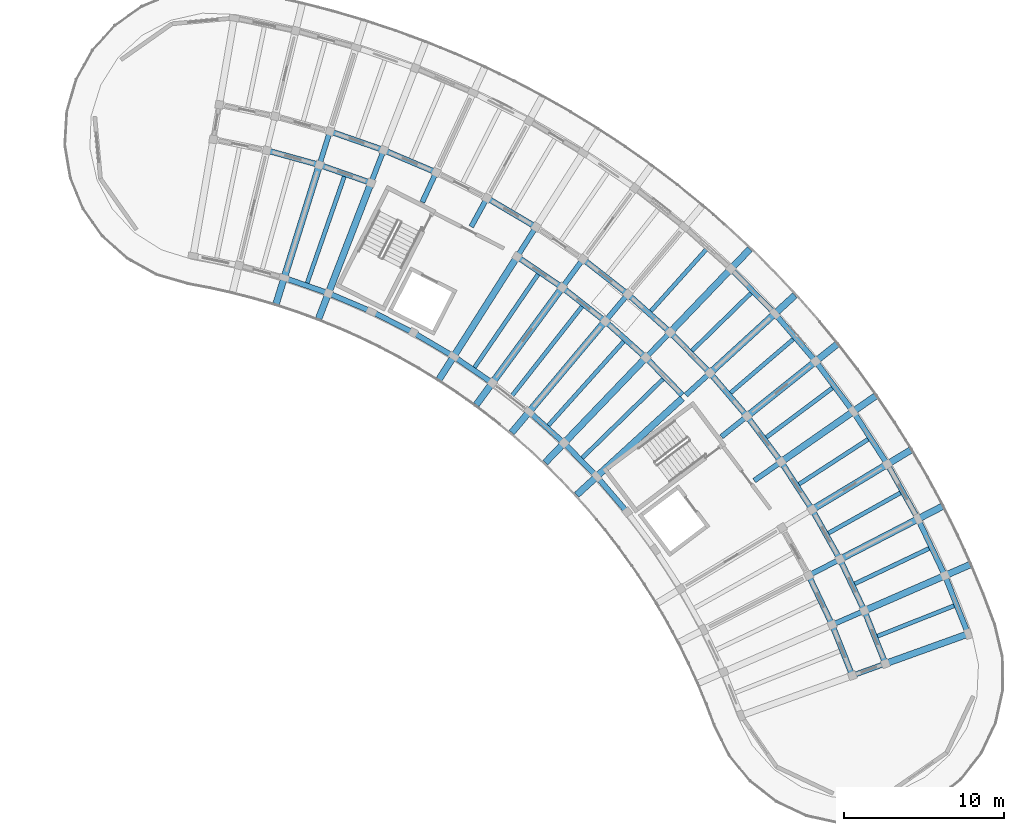
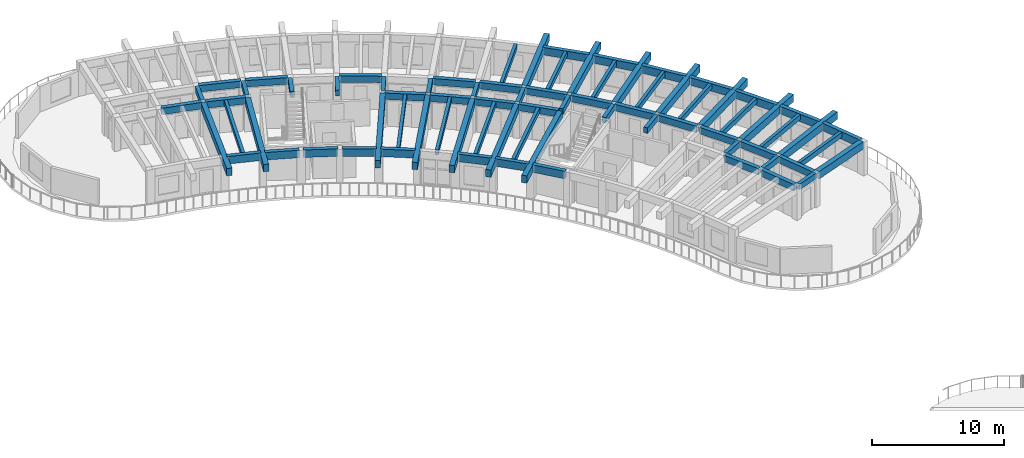
# One storey, part 14 of 56: 77 beams.
"""IFC4 building model written with IfcOpenShell, lengths in metres."""

from ifc_helpers import new_model, si_unit, direction, frame, origin, origin_2d, place, context, subcontext, project, spatial, rectangle, extrude, material, material_profile, profile_set, type_object, element, save


model = new_model("IFC4")

# Units and contexts
model_context = context("Model", 3, precision=1e-05, world=origin(), true_north=direction((0.0, 1.0)))
body_context = subcontext(model_context, "Body", "Model", "MODEL_VIEW")
ifc_project = project(units=[si_unit("LENGTHUNIT", "METRE"), si_unit("AREAUNIT", "SQUARE_METRE"), si_unit("VOLUMEUNIT", "CUBIC_METRE"), si_unit("PLANEANGLEUNIT", "RADIAN"), si_unit("MASSUNIT", "GRAM", prefix="KILO")], contexts=[model_context])

# Site, building, storey
site_placement = place(None, origin())
site = spatial("IfcSite", under=ifc_project, at=site_placement, CompositionType="ELEMENT")
building_placement = place(site_placement, origin())
building = spatial("IfcBuilding", under=site, at=building_placement, Name="Tanwirah Colonnade Gardens", CompositionType="ELEMENT")
storey_placement = place(building_placement, frame((0.0, 0.0, 29.0)))
storey = spatial("IfcBuildingStorey", under=building, at=storey_placement, Name="L08", CompositionType="ELEMENT", Elevation=29.0)

# Beams
ifc_material_1 = material(Name="Precast concrete C40/50", Category="concrete")
ifc_material_profile_1 = material_profile(ifc_material_1, rectangle(XDim=0.320068359375, YDim=0.52001953125, at=origin_2d()), Name="PC-BM 320x520")
ifc_profile_set_1 = profile_set([ifc_material_profile_1], Name="Precast concrete C40/50")
beam_type_1 = type_object("IfcBeamType", Name="BM-PC320", PredefinedType="BEAM", material=ifc_profile_set_1)
for number, where, z_axis, x_axis, name in (
    (1, (169.9326171875, 77.79541015625, 2.85498046875), (0.941021664552, 0.338346311999, 0.0), (-0.338346311999, 0.941021664552, 0.0), "Block B L08 Corridor Tie Beam 1"),
    (2, (168.6669921875, 80.981201171875, 2.85498046875), (0.916681481826, 0.399618644306, 0.0), (-0.399618644306, 0.916681481826, 0.0), "Block B L08 Corridor Tie Beam 2"),
):
    element("IfcBeam", number, at=place(storey_placement, frame(where, z_axis=z_axis, x_axis=x_axis)), inside=storey, type_object=beam_type_1, Name=name, PredefinedType="BEAM", context=body_context, shape_type="SweptSolid", body=[
        extrude(rectangle(XDim=0.320068359375, YDim=0.52001953125, at=origin_2d()), origin(), (0.0, 0.0, 1.0), 1.89990234375),
    ])
beam_1_placement = place(storey_placement, frame((167.194091796875, 84.07666015625, 2.85498046875), z_axis=(0.888385730697, 0.459097803844, 0.0), x_axis=(-0.459097803844, 0.888385730697, 0.0)))
element("IfcBeam", 3, at=beam_1_placement, inside=storey, type_object=beam_type_1, Name="Block B L08 Corridor Tie Beam 3", PredefinedType="BEAM", context=body_context, shape_type="SweptSolid", body=[
    extrude(rectangle(XDim=0.320068359375, YDim=0.52001953125, at=origin_2d()), origin(), (0.0, 0.0, 1.0), 1.900146484375),
])
for number, where, z_axis, x_axis, name in (
    (4, (163.653564453125, 89.943359375, 2.85498046875), (0.820305001782, 0.571926309983, 0.0), (-0.571926309983, 0.820305001782, 0.0), "Block B L08 Corridor Tie Beam 5"),
    (5, (161.601318359375, 92.68896484375, 2.85498046875), (0.78073089418, 0.624867402633, 0.0), (-0.624867402633, 0.78073089418, 0.0), "Block B L08 Corridor Tie Beam 6"),
    (6, (159.37255859375, 95.29345703125, 2.85498046875), (0.737948361517, 0.674857181732, 0.0), (-0.674857181732, 0.737948361517, 0.0), "Block B L08 Corridor Tie Beam 7"),
):
    element("IfcBeam", number, at=place(storey_placement, frame(where, z_axis=z_axis, x_axis=x_axis)), inside=storey, type_object=beam_type_1, Name=name, PredefinedType="BEAM", context=body_context, shape_type="SweptSolid", body=[
        extrude(rectangle(XDim=0.320068359375, YDim=0.52001953125, at=origin_2d()), origin(), (0.0, 0.0, 1.0), 1.89990234375),
    ])
beam_2_placement = place(storey_placement, frame((156.976806640625, 97.74560546875, 2.85498046875), z_axis=(0.691913735329, 0.721980181766, 0.0), x_axis=(-0.721980181766, 0.691913735329, 0.0)))
element("IfcBeam", 7, at=beam_2_placement, inside=storey, type_object=beam_type_1, Name="Block B L08 Corridor Tie Beam 8", PredefinedType="BEAM", context=body_context, shape_type="SweptSolid", body=[
    extrude(rectangle(XDim=0.320068359375, YDim=0.52001953125, at=origin_2d()), origin(), (0.0, 0.0, 1.0), 1.900146484375),
])
beam_3_placement = place(storey_placement, frame((154.425048828125, 100.034423828125, 2.85498046875), z_axis=(0.642797194343, 0.766036400535, 0.0), x_axis=(-0.766036400535, 0.642797194343, 0.0)))
element("IfcBeam", 8, at=beam_3_placement, inside=storey, type_object=beam_type_1, Name="Block B L08 Corridor Tie Beam 9", PredefinedType="BEAM", context=body_context, shape_type="SweptSolid", body=[
    extrude(rectangle(XDim=0.320068359375, YDim=0.52001953125, at=origin_2d()), origin(), (0.0, 0.0, 1.0), 1.89990234375),
])
beam_4_placement = place(storey_placement, frame((151.727783203125, 102.14990234375, 2.85498046875), z_axis=(0.590895676149, 0.806747977939, 0.0), x_axis=(-0.806747977939, 0.590895676149, 0.0)))
element("IfcBeam", 9, at=beam_4_placement, inside=storey, type_object=beam_type_1, Name="Block B L08 Corridor Tie Beam 10", PredefinedType="BEAM", context=body_context, shape_type="SweptSolid", body=[
    extrude(rectangle(XDim=0.320068359375, YDim=0.52001953125, at=origin_2d()), origin(), (0.0, 0.0, 1.0), 1.900146484375),
])
for number, where, z_axis, x_axis, name in (
    (10, (148.89697265625, 104.08349609375, 2.85498046875), (0.536509579595, 0.843894229749, 0.0), (-0.843894229749, 0.536509579595, 0.0), "Block B L08 Corridor Tie Beam 11"),
    (11, (145.945068359375, 105.826171875, 2.85498046875), (0.479707235792, 0.877428611301, 0.0), (-0.877428611301, 0.479707235792, 0.0), "Block B L08 Corridor Tie Beam 12"),
    (12, (142.884765625, 107.37060546875, 2.85498046875), (0.420858322681, 0.90712638162, 0.0), (-0.90712638162, 0.420858322681, 0.0), "Block B L08 Corridor Tie Beam 13"),
    (13, (139.729248046875, 108.7099609375, 2.85498046875), (0.360175656082, 0.932884503444, 0.0), (-0.932884503444, 0.360175656082, 0.0), "Block B L08 Corridor Tie Beam 14"),
    (14, (136.492431640625, 109.838623046875, 2.85498046875), (0.297857918398, 0.954610213882, 0.0), (-0.954610213882, 0.297857918398, 0.0), "Block B L08 Corridor Tie Beam 15"),
):
    element("IfcBeam", number, at=place(storey_placement, frame(where, z_axis=z_axis, x_axis=x_axis)), inside=storey, type_object=beam_type_1, Name=name, PredefinedType="BEAM", context=body_context, shape_type="SweptSolid", body=[
        extrude(rectangle(XDim=0.320068359375, YDim=0.52001953125, at=origin_2d()), origin(), (0.0, 0.0, 1.0), 1.89990234375),
    ])
ifc_material_profile_2 = material_profile(ifc_material_1, rectangle(XDim=0.35009765625, YDim=0.60009765625, at=origin_2d()), Name="PC-BM 350x600")
ifc_profile_set_2 = profile_set([ifc_material_profile_2], Name="Precast concrete C40/50")
beam_type_2 = type_object("IfcBeamType", Name="BM-PC350B", PredefinedType="BEAM", material=ifc_profile_set_2)
beam_5_placement = place(storey_placement, frame((169.736083984375, 77.884033203125, 2.81494140625), z_axis=(-0.369189105832, 0.929354294193, 0.0), x_axis=(-0.929354294193, -0.369189105832, 0.0)))
element("IfcBeam", 15, at=beam_5_placement, inside=storey, type_object=beam_type_2, Name="Block B L08 Circumferential Beam 1-R1", PredefinedType="BEAM", context=body_context, shape_type="SweptSolid", body=[
    extrude(rectangle(XDim=0.35009765625, YDim=0.60009765625, at=origin_2d()), origin(), (0.0, 0.0, 1.0), 3.117919921875),
])
beam_6_placement = place(storey_placement, frame((171.806396484375, 78.62841796875, 2.81494140625), z_axis=(-0.369209712056, 0.929346108037, 0.0), x_axis=(-0.929346108037, -0.369209712056, 0.0)))
element("IfcBeam", 16, at=beam_6_placement, inside=storey, type_object=beam_type_2, Name="Block B L08 Circumferential Beam 1-R2", PredefinedType="BEAM", context=body_context, shape_type="SweptSolid", body=[
    extrude(rectangle(XDim=0.35009765625, YDim=0.60009765625, at=origin_2d()), origin(), (0.0, 0.0, 1.0), 3.26318359375),
])
beam_7_placement = place(storey_placement, frame((168.465087890625, 81.056640625, 2.81494140625), z_axis=(-0.429620507728, 0.903009534468, 0.0), x_axis=(-0.903009534468, -0.429620507728, 0.0)))
element("IfcBeam", 17, at=beam_7_placement, inside=storey, type_object=beam_type_2, Name="Block B L08 Circumferential Beam 2-R1", PredefinedType="BEAM", context=body_context, shape_type="SweptSolid", body=[
    extrude(rectangle(XDim=0.35009765625, YDim=0.60009765625, at=origin_2d()), origin(), (0.0, 0.0, 1.0), 3.1181640625),
])
beam_8_placement = place(storey_placement, frame((170.481689453125, 81.935791015625, 2.81494140625), z_axis=(-0.4295908638, 0.90302363742, 0.0), x_axis=(-0.90302363742, -0.4295908638, 0.0)))
element("IfcBeam", 18, at=beam_8_placement, inside=storey, type_object=beam_type_2, Name="Block B L08 Circumferential Beam 2-R2", PredefinedType="BEAM", context=body_context, shape_type="SweptSolid", body=[
    extrude(rectangle(XDim=0.35009765625, YDim=0.60009765625, at=origin_2d()), origin(), (0.0, 0.0, 1.0), 3.26318359375),
])
for number, where, z_axis, x_axis, name in (
    (19, (168.942138671875, 85.14892578125, 2.81494140625), (-0.488213717102, 0.87272410671, 0.0), (-0.87272410671, -0.488213717102, 0.0), "Block B L08 Circumferential Beam 3-R2"),
    (20, (167.194091796875, 88.25341796875, 2.81494140625), (-0.544627998385, 0.838677735114, 0.0), (-0.838677735114, -0.544627998385, 0.0), "Block B L08 Circumferential Beam 4-R2"),
    (21, (165.245361328125, 91.236083984375, 2.81494140625), (-0.59871829396, 0.800959677186, 0.0), (-0.800959677186, -0.59871829396, 0.0), "Block B L08 Circumferential Beam 5-R2"),
):
    element("IfcBeam", number, at=place(storey_placement, frame(where, z_axis=z_axis, x_axis=x_axis)), inside=storey, type_object=beam_type_2, Name=name, PredefinedType="BEAM", context=body_context, shape_type="SweptSolid", body=[
        extrude(rectangle(XDim=0.35009765625, YDim=0.60009765625, at=origin_2d()), origin(), (0.0, 0.0, 1.0), 3.262939453125),
    ])
beam_9_placement = place(storey_placement, frame((163.1044921875, 94.083740234375, 2.81494140625), z_axis=(-0.650218192342, 0.759747525398, 0.0), x_axis=(-0.759747525398, -0.650218192342, 0.0)))
element("IfcBeam", 22, at=beam_9_placement, inside=storey, type_object=beam_type_2, Name="Block B L08 Circumferential Beam 6-R2", PredefinedType="BEAM", context=body_context, shape_type="SweptSolid", body=[
    extrude(rectangle(XDim=0.35009765625, YDim=0.60009765625, at=origin_2d()), origin(), (0.0, 0.0, 1.0), 3.26318359375),
])
beam_10_placement = place(storey_placement, frame((159.156982421875, 95.299560546875, 2.81494140625), z_axis=(-0.698837366631, 0.715280598787, 0.0), x_axis=(-0.715280598787, -0.698837366631, 0.0)))
element("IfcBeam", 23, at=beam_10_placement, inside=storey, type_object=beam_type_2, Name="Block B L08 Circumferential Beam 7-R1", PredefinedType="BEAM", context=body_context, shape_type="SweptSolid", body=[
    extrude(rectangle(XDim=0.35009765625, YDim=0.60009765625, at=origin_2d()), origin(), (0.0, 0.0, 1.0), 3.117919921875),
])
beam_11_placement = place(storey_placement, frame((160.780517578125, 96.7841796875, 2.81494140625), z_axis=(-0.698829447339, 0.71528833594, 0.0), x_axis=(-0.71528833594, -0.698829447339, 0.0)))
element("IfcBeam", 24, at=beam_11_placement, inside=storey, type_object=beam_type_2, Name="Block B L08 Circumferential Beam 7-R2", PredefinedType="BEAM", context=body_context, shape_type="SweptSolid", body=[
    extrude(rectangle(XDim=0.35009765625, YDim=0.60009765625, at=origin_2d()), origin(), (0.0, 0.0, 1.0), 3.263427734375),
])
beam_12_placement = place(storey_placement, frame((156.761474609375, 97.7373046875, 2.81494140625), z_axis=(-0.744429866059, 0.667700662363, 0.0), x_axis=(-0.667700662363, -0.744429866059, 0.0)))
element("IfcBeam", 25, at=beam_12_placement, inside=storey, type_object=beam_type_2, Name="Block B L08 Circumferential Beam 8-R1", PredefinedType="BEAM", context=body_context, shape_type="SweptSolid", body=[
    extrude(rectangle(XDim=0.35009765625, YDim=0.60009765625, at=origin_2d()), origin(), (0.0, 0.0, 1.0), 3.1181640625),
])
beam_13_placement = place(storey_placement, frame((158.283447265625, 99.32568359375, 2.81494140625), z_axis=(-0.744409136578, 0.667723773262, 0.0), x_axis=(-0.667723773262, -0.744409136578, 0.0)))
element("IfcBeam", 26, at=beam_13_placement, inside=storey, type_object=beam_type_2, Name="Block B L08 Circumferential Beam 8-R2", PredefinedType="BEAM", context=body_context, shape_type="SweptSolid", body=[
    extrude(rectangle(XDim=0.35009765625, YDim=0.60009765625, at=origin_2d()), origin(), (0.0, 0.0, 1.0), 3.26318359375),
])
beam_14_placement = place(storey_placement, frame((154.21044921875, 100.011962890625, 2.81494140625), z_axis=(-0.78679899272, 0.617209320292, 0.0), x_axis=(-0.617209320292, -0.78679899272, 0.0)))
element("IfcBeam", 27, at=beam_14_placement, inside=storey, type_object=beam_type_2, Name="Block B L08 Circumferential Beam 9-R1", PredefinedType="BEAM", context=body_context, shape_type="SweptSolid", body=[
    extrude(rectangle(XDim=0.35009765625, YDim=0.60009765625, at=origin_2d()), origin(), (0.0, 0.0, 1.0), 3.1181640625),
])
beam_15_placement = place(storey_placement, frame((155.624755859375, 101.697265625, 2.81494140625), z_axis=(-0.786839882256, 0.617157192044, 0.0), x_axis=(-0.617157192044, -0.786839882256, 0.0)))
element("IfcBeam", 28, at=beam_15_placement, inside=storey, type_object=beam_type_2, Name="Block B L08 Circumferential Beam 9-R2", PredefinedType="BEAM", context=body_context, shape_type="SweptSolid", body=[
    extrude(rectangle(XDim=0.35009765625, YDim=0.60009765625, at=origin_2d()), origin(), (0.0, 0.0, 1.0), 3.26318359375),
])
beam_16_placement = place(storey_placement, frame((151.515380859375, 102.113525390625, 2.81494140625), z_axis=(-0.825758291455, 0.564024152047, 0.0), x_axis=(-0.564024152047, -0.825758291455, 0.0)))
element("IfcBeam", 29, at=beam_16_placement, inside=storey, type_object=beam_type_2, Name="Block B L08 Circumferential Beam 10-R1", PredefinedType="BEAM", context=body_context, shape_type="SweptSolid", body=[
    extrude(rectangle(XDim=0.35009765625, YDim=0.60009765625, at=origin_2d()), origin(), (0.0, 0.0, 1.0), 3.118408203125),
])
beam_17_placement = place(storey_placement, frame((149.86767578125, 105.8896484375, 2.81494140625), z_axis=(-0.861134978964, 0.508376384193, 0.0), x_axis=(-0.508376384193, -0.861134978964, 0.0)))
element("IfcBeam", 30, at=beam_17_placement, inside=storey, type_object=beam_type_2, Name="Block B L08 Circumferential Beam 11-R2", PredefinedType="BEAM", context=body_context, shape_type="SweptSolid", body=[
    extrude(rectangle(XDim=0.35009765625, YDim=0.60009765625, at=origin_2d()), origin(), (0.0, 0.0, 1.0), 3.26318359375),
])
beam_18_placement = place(storey_placement, frame((143.609375, 109.288818359375, 2.81494140625), z_axis=(-0.920513294115, 0.390711242938, 0.0), x_axis=(-0.390711242938, -0.920513294115, 0.0)))
element("IfcBeam", 31, at=beam_18_placement, inside=storey, type_object=beam_type_2, Name="Block B L08 Circumferential Beam 13-R2", PredefinedType="BEAM", context=body_context, shape_type="SweptSolid", body=[
    extrude(rectangle(XDim=0.35009765625, YDim=0.60009765625, at=origin_2d()), origin(), (0.0, 0.0, 1.0), 3.262939453125),
])
beam_19_placement = place(storey_placement, frame((139.53369140625, 108.619384765625, 2.81494140625), z_axis=(-0.944248304077, 0.329234172358, 0.0), x_axis=(-0.329234172358, -0.944248304077, 0.0)))
element("IfcBeam", 32, at=beam_19_placement, inside=storey, type_object=beam_type_2, Name="Block B L08 Circumferential Beam 14-R1", PredefinedType="BEAM", context=body_context, shape_type="SweptSolid", body=[
    extrude(rectangle(XDim=0.35009765625, YDim=0.60009765625, at=origin_2d()), origin(), (0.0, 0.0, 1.0), 3.1181640625),
])
beam_20_placement = place(storey_placement, frame((140.325927734375, 110.671630859375, 2.81494140625), z_axis=(-0.944231021702, 0.329283734272, 0.0), x_axis=(-0.329283734272, -0.944231021702, 0.0)))
element("IfcBeam", 33, at=beam_20_placement, inside=storey, type_object=beam_type_2, Name="Block B L08 Circumferential Beam 14-R2", PredefinedType="BEAM", context=body_context, shape_type="SweptSolid", body=[
    extrude(rectangle(XDim=0.35009765625, YDim=0.60009765625, at=origin_2d()), origin(), (0.0, 0.0, 1.0), 3.262939453125),
])
beam_21_placement = place(storey_placement, frame((136.302978515625, 109.7353515625, 2.81494140625), z_axis=(-0.963889412906, 0.266302834548, 0.0), x_axis=(-0.266302834548, -0.963889412906, 0.0)))
element("IfcBeam", 34, at=beam_21_placement, inside=storey, type_object=beam_type_2, Name="Block B L08 Circumferential Beam 15-R1", PredefinedType="BEAM", context=body_context, shape_type="SweptSolid", body=[
    extrude(rectangle(XDim=0.35009765625, YDim=0.60009765625, at=origin_2d()), origin(), (0.0, 0.0, 1.0), 3.117919921875),
])
ifc_material_2 = material(Name="Precast concrete C45/55", Category="concrete")
ifc_material_profile_3 = material_profile(ifc_material_2, rectangle(XDim=0.419921875, YDim=0.679931640625, at=origin_2d()), Name="PC-BM 420x680")
ifc_profile_set_3 = profile_set([ifc_material_profile_3], Name="Precast concrete C45/55")
beam_type_3 = type_object("IfcBeamType", Name="BM-PC420", PredefinedType="BEAM", material=ifc_profile_set_3)
beam_22_placement = place(storey_placement, frame((172.0029296875, 78.539794921875, 2.77490234375), z_axis=(0.941008854194, 0.338381938538, 0.0), x_axis=(-0.338381938538, 0.941008854194, 0.0)))
element("IfcBeam", 35, at=beam_22_placement, inside=storey, type_object=beam_type_3, Name="Block B L08 Outer Radial Precast Girder 1", PredefinedType="BEAM", context=body_context, shape_type="SweptSolid", body=[
    extrude(rectangle(XDim=0.419921875, YDim=0.679931640625, at=origin_2d()), origin(), (0.0, 0.0, 1.0), 5.19970703125),
])
beam_23_placement = place(storey_placement, frame((170.68359375, 81.8603515625, 2.77490234375), z_axis=(0.916678725612, 0.399624966702, 0.0), x_axis=(-0.399624966702, 0.916678725612, 0.0)))
element("IfcBeam", 36, at=beam_23_placement, inside=storey, type_object=beam_type_3, Name="Block B L08 Outer Radial Precast Girder 2", PredefinedType="BEAM", context=body_context, shape_type="SweptSolid", body=[
    extrude(rectangle(XDim=0.419921875, YDim=0.679931640625, at=origin_2d()), origin(), (0.0, 0.0, 1.0), 7.050048828125),
])
beam_24_placement = place(storey_placement, frame((169.148681640625, 85.0869140625, 2.77490234375), z_axis=(0.888348690665, 0.459169471758, 0.0), x_axis=(-0.459169471758, 0.888348690665, 0.0)))
element("IfcBeam", 37, at=beam_24_placement, inside=storey, type_object=beam_type_3, Name="Block B L08 Outer Radial Precast Girder 3", PredefinedType="BEAM", context=body_context, shape_type="SweptSolid", body=[
    extrude(rectangle(XDim=0.419921875, YDim=0.679931640625, at=origin_2d()), origin(), (0.0, 0.0, 1.0), 7.0498046875),
])
for number, where, z_axis, x_axis, name in (
    (38, (167.404296875, 88.205078125, 2.77490234375), (0.856157813984, 0.516714425533, 0.0), (-0.516714425533, 0.856157813984, 0.0), "Block B L08 Outer Radial Precast Girder 4"),
    (39, (165.458251953125, 91.20166015625, 2.77490234375), (0.820270158139, 0.571976282433, 0.0), (-0.571976282433, 0.820270158139, 0.0), "Block B L08 Outer Radial Precast Girder 5"),
    (40, (163.319091796875, 94.0634765625, 2.77490234375), (0.780794476885, 0.624787951921, 0.0), (-0.624787951921, 0.780794476885, 0.0), "Block B L08 Outer Radial Precast Girder 6"),
):
    element("IfcBeam", number, at=place(storey_placement, frame(where, z_axis=z_axis, x_axis=x_axis)), inside=storey, type_object=beam_type_3, Name=name, PredefinedType="BEAM", context=body_context, shape_type="SweptSolid", body=[
        extrude(rectangle(XDim=0.419921875, YDim=0.679931640625, at=origin_2d()), origin(), (0.0, 0.0, 1.0), 7.050048828125),
    ])
beam_25_placement = place(storey_placement, frame((159.151123046875, 95.091064453125, 2.77490234375), z_axis=(-0.737937205818, -0.674869380154, 0.0), x_axis=(0.674869380154, -0.737937205818, 0.0)))
element("IfcBeam", 41, at=beam_25_placement, inside=storey, type_object=beam_type_3, Name="Block B L08 Inner Radial Precast Girder 7", PredefinedType="BEAM", context=body_context, shape_type="SweptSolid", body=[
    extrude(rectangle(XDim=0.419921875, YDim=0.679931640625, at=origin_2d()), origin(), (0.0, 0.0, 1.0), 8.949951171875),
])
beam_26_placement = place(storey_placement, frame((160.995849609375, 96.7783203125, 2.77490234375), z_axis=(0.737934199263, 0.674872667663, 0.0), x_axis=(-0.674872667663, 0.737934199263, 0.0)))
element("IfcBeam", 42, at=beam_26_placement, inside=storey, type_object=beam_type_3, Name="Block B L08 Outer Radial Precast Girder 7", PredefinedType="BEAM", context=body_context, shape_type="SweptSolid", body=[
    extrude(rectangle(XDim=0.419921875, YDim=0.679931640625, at=origin_2d()), origin(), (0.0, 0.0, 1.0), 7.050048828125),
])
beam_27_placement = place(storey_placement, frame((156.769287109375, 97.52880859375, 2.77490234375), z_axis=(-0.691860926595, -0.722030787606, 0.0), x_axis=(0.722030787606, -0.691860926595, 0.0)))
element("IfcBeam", 43, at=beam_27_placement, inside=storey, type_object=beam_type_3, Name="Block B L08 Inner Radial Precast Girder 8", PredefinedType="BEAM", context=body_context, shape_type="SweptSolid", body=[
    extrude(rectangle(XDim=0.419921875, YDim=0.679931640625, at=origin_2d()), origin(), (0.0, 0.0, 1.0), 8.949951171875),
])
beam_28_placement = place(storey_placement, frame((158.4990234375, 99.333984375, 2.77490234375), z_axis=(0.691864746793, 0.722027127015, 0.0), x_axis=(-0.722027127015, 0.691864746793, 0.0)))
element("IfcBeam", 44, at=beam_28_placement, inside=storey, type_object=beam_type_3, Name="Block B L08 Outer Radial Precast Girder 8", PredefinedType="BEAM", context=body_context, shape_type="SweptSolid", body=[
    extrude(rectangle(XDim=0.419921875, YDim=0.679931640625, at=origin_2d()), origin(), (0.0, 0.0, 1.0), 7.050048828125),
])
for number, where, z_axis, x_axis, name in (
    (45, (154.232177734375, 99.804443359375, 2.77490234375), (-0.64279407932, -0.766039014406, 0.0), (0.766039014406, -0.64279407932, 0.0), "Block B L08 Inner Radial Precast Girder 9"),
    (46, (151.550537109375, 101.907958984375, 2.77490234375), (-0.590927205009, -0.806724883947, 0.0), (0.806724883947, -0.590927205009, 0.0), "Block B L08 Inner Radial Precast Girder 10"),
    (47, (148.736083984375, 103.830322265625, 2.77490234375), (-0.536483588607, -0.843910753075, 0.0), (0.843910753075, -0.536483588607, 0.0), "Block B L08 Inner Radial Precast Girder 11"),
    (48, (139.62109375, 108.43017578125, 2.77490234375), (-0.360155980892, -0.932892099563, 0.0), (0.932892099563, -0.360155980892, 0.0), "Block B L08 Inner Radial Precast Girder 14"),
):
    element("IfcBeam", number, at=place(storey_placement, frame(where, z_axis=z_axis, x_axis=x_axis)), inside=storey, type_object=beam_type_3, Name=name, PredefinedType="BEAM", context=body_context, shape_type="SweptSolid", body=[
        extrude(rectangle(XDim=0.419921875, YDim=0.679931640625, at=origin_2d()), origin(), (0.0, 0.0, 1.0), 8.949951171875),
    ])
beam_29_placement = place(storey_placement, frame((136.403076171875, 109.55224609375, 2.77490234375), z_axis=(-0.29792861283, -0.9545881529, 0.0), x_axis=(0.9545881529, -0.29792861283, 0.0)))
element("IfcBeam", 49, at=beam_29_placement, inside=storey, type_object=beam_type_3, Name="Block B L08 Inner Radial Precast Girder 15", PredefinedType="BEAM", context=body_context, shape_type="SweptSolid", body=[
    extrude(rectangle(XDim=0.419921875, YDim=0.679931640625, at=origin_2d()), origin(), (0.0, 0.0, 1.0), 8.9501953125),
])
ifc_material_profile_4 = material_profile(ifc_material_1, rectangle(XDim=0.260009765625, YDim=0.4599609375, at=origin_2d()), Name="PC-JST 260x460")
ifc_profile_set_4 = profile_set([ifc_material_profile_4], Name="Precast concrete C40/50")
beam_type_4 = type_object("IfcBeamType", Name="JST-PC260", PredefinedType="JOIST", material=ifc_profile_set_4)
beam_30_placement = place(storey_placement, frame((171.3427734375, 80.199951171875, 2.885009765625), z_axis=(0.929357539836, 0.369180935517, 0.0), x_axis=(-0.369180935517, 0.929357539836, 0.0)))
element("IfcBeam", 50, at=beam_30_placement, inside=storey, type_object=beam_type_4, Name="Block B L08 Precast Floor Joist 1", PredefinedType="JOIST", context=body_context, shape_type="SweptSolid", body=[
    extrude(rectangle(XDim=0.260009765625, YDim=0.4599609375, at=origin_2d()), origin(), (0.0, 0.0, 1.0), 5.260009765625),
])
beam_31_placement = place(storey_placement, frame((169.91552734375, 83.473388671875, 2.885009765625), z_axis=(0.903018314862, 0.429602051931, 0.0), x_axis=(-0.429602051931, 0.903018314862, 0.0)))
element("IfcBeam", 51, at=beam_31_placement, inside=storey, type_object=beam_type_4, Name="Block B L08 Precast Floor Joist 2", PredefinedType="JOIST", context=body_context, shape_type="SweptSolid", body=[
    extrude(rectangle(XDim=0.260009765625, YDim=0.4599609375, at=origin_2d()), origin(), (0.0, 0.0, 1.0), 5.26025390625),
])
beam_32_placement = place(storey_placement, frame((168.27587890625, 86.645751953125, 2.885009765625), z_axis=(0.872737031138, 0.488190612855, 0.0), x_axis=(-0.488190612855, 0.872737031138, 0.0)))
element("IfcBeam", 52, at=beam_32_placement, inside=storey, type_object=beam_type_4, Name="Block B L08 Precast Floor Joist 3", PredefinedType="JOIST", context=body_context, shape_type="SweptSolid", body=[
    extrude(rectangle(XDim=0.260009765625, YDim=0.4599609375, at=origin_2d()), origin(), (0.0, 0.0, 1.0), 5.260009765625),
])
beam_33_placement = place(storey_placement, frame((166.4306640625, 89.703125, 2.885009765625), z_axis=(0.83868742622, 0.544613074669, 0.0), x_axis=(-0.544613074669, 0.83868742622, 0.0)))
element("IfcBeam", 53, at=beam_33_placement, inside=storey, type_object=beam_type_4, Name="Block B L08 Precast Floor Joist 4", PredefinedType="JOIST", context=body_context, shape_type="SweptSolid", body=[
    extrude(rectangle(XDim=0.260009765625, YDim=0.4599609375, at=origin_2d()), origin(), (0.0, 0.0, 1.0), 5.26025390625),
])
beam_34_placement = place(storey_placement, frame((164.38818359375, 92.63232421875, 2.885009765625), z_axis=(0.800973647215, 0.598699604533, 0.0), x_axis=(-0.598699604533, 0.800973647215, 0.0)))
element("IfcBeam", 54, at=beam_34_placement, inside=storey, type_object=beam_type_4, Name="Block B L08 Precast Floor Joist 5", PredefinedType="JOIST", context=body_context, shape_type="SweptSolid", body=[
    extrude(rectangle(XDim=0.260009765625, YDim=0.4599609375, at=origin_2d()), origin(), (0.0, 0.0, 1.0), 5.260009765625),
])
beam_35_placement = place(storey_placement, frame((162.156982421875, 95.42041015625, 2.885009765625), z_axis=(0.759770723643, 0.65019108537, 0.0), x_axis=(-0.65019108537, 0.759770723643, 0.0)))
element("IfcBeam", 55, at=beam_35_placement, inside=storey, type_object=beam_type_4, Name="Block B L08 Precast Floor Joist 6", PredefinedType="JOIST", context=body_context, shape_type="SweptSolid", body=[
    extrude(rectangle(XDim=0.260009765625, YDim=0.4599609375, at=origin_2d()), origin(), (0.0, 0.0, 1.0), 5.26025390625),
])
beam_36_placement = place(storey_placement, frame((159.7470703125, 98.0556640625, 2.885009765625), z_axis=(0.715297399369, 0.698820170327, 0.0), x_axis=(-0.698820170327, 0.715297399369, 0.0)))
element("IfcBeam", 56, at=beam_36_placement, inside=storey, type_object=beam_type_4, Name="Block B L08 Precast Floor Joist 7", PredefinedType="JOIST", context=body_context, shape_type="SweptSolid", body=[
    extrude(rectangle(XDim=0.260009765625, YDim=0.4599609375, at=origin_2d()), origin(), (0.0, 0.0, 1.0), 5.260009765625),
])
beam_37_placement = place(storey_placement, frame((152.88037109375, 91.346923828125, 2.885009765625), z_axis=(0.715276680509, 0.698841377081, 0.0), x_axis=(-0.698841377081, 0.715276680509, 0.0)))
element("IfcBeam", 57, at=beam_37_placement, inside=storey, type_object=beam_type_4, Name="Block B L08 Inner Precast Floor Joist 7", PredefinedType="JOIST", context=body_context, shape_type="SweptSolid", body=[
    extrude(rectangle(XDim=0.260009765625, YDim=0.4599609375, at=origin_2d()), origin(), (0.0, 0.0, 1.0), 7.159912109375),
])
beam_38_placement = place(storey_placement, frame((157.168701171875, 100.5263671875, 2.885009765625), z_axis=(0.667678987176, 0.744449306591, 0.0), x_axis=(-0.744449306591, 0.667678987176, 0.0)))
element("IfcBeam", 58, at=beam_38_placement, inside=storey, type_object=beam_type_4, Name="Block B L08 Precast Floor Joist 8", PredefinedType="JOIST", context=body_context, shape_type="SweptSolid", body=[
    extrude(rectangle(XDim=0.260009765625, YDim=0.4599609375, at=origin_2d()), origin(), (0.0, 0.0, 1.0), 5.260009765625),
])
beam_39_placement = place(storey_placement, frame((150.7587890625, 93.379638671875, 2.885009765625), z_axis=(0.667688404274, 0.744440860511, 0.0), x_axis=(-0.744440860511, 0.667688404274, 0.0)))
element("IfcBeam", 59, at=beam_39_placement, inside=storey, type_object=beam_type_4, Name="Block B L08 Inner Precast Floor Joist 8", PredefinedType="JOIST", context=body_context, shape_type="SweptSolid", body=[
    extrude(rectangle(XDim=0.260009765625, YDim=0.4599609375, at=origin_2d()), origin(), (0.0, 0.0, 1.0), 7.16015625),
])
for number, where, z_axis, x_axis, name in (
    (60, (148.508056640625, 95.268310546875, 2.885009765625), (0.617202438917, 0.786804390808, 0.0), (-0.786804390808, 0.617202438917, 0.0), "Block B L08 Inner Precast Floor Joist 9"),
    (61, (146.1376953125, 97.004638671875, 2.885009765625), (0.564021195806, 0.825760310672, 0.0), (-0.825760310672, 0.564021195806, 0.0), "Block B L08 Inner Precast Floor Joist 10"),
    (62, (135.673828125, 102.28515625, 2.885009765625), (0.329250558112, 0.944242590642, 0.0), (-0.944242590642, 0.329250558112, 0.0), "Block B L08 Inner Precast Floor Joist 14"),
):
    element("IfcBeam", number, at=place(storey_placement, frame(where, z_axis=z_axis, x_axis=x_axis)), inside=storey, type_object=beam_type_4, Name=name, PredefinedType="JOIST", context=body_context, shape_type="SweptSolid", body=[
        extrude(rectangle(XDim=0.260009765625, YDim=0.4599609375, at=origin_2d()), origin(), (0.0, 0.0, 1.0), 7.159912109375),
    ])
ifc_material_profile_5 = material_profile(ifc_material_1, rectangle(XDim=0.3349609375, YDim=0.695068359375, at=origin_2d()), Name="PC-SP 335x695")
ifc_profile_set_5 = profile_set([ifc_material_profile_5], Name="Precast concrete C40/50")
beam_type_5 = type_object("IfcBeamType", Name="SP-PC300", PredefinedType="SPANDREL", material=ifc_profile_set_5)
for number, where, z_axis, x_axis, name in (
    (63, (176.98193359375, 80.489501953125, 2.767578125), (-0.369195460985, 0.929351769562, 0.0), (-0.929351769562, -0.369195460985, 0.0), "Block B L08 Circumferential Beam 1-R3"),
    (64, (175.5234375, 84.1337890625, 2.767578125), (-0.429593766142, 0.903022256698, 0.0), (-0.903022256698, -0.429593766142, 0.0), "Block B L08 Circumferential Beam 2-R3"),
    (65, (173.828125, 87.67431640625, 2.767578125), (-0.488236312193, 0.872711466326, 0.0), (-0.872711466326, -0.488236312193, 0.0), "Block B L08 Circumferential Beam 3-R3"),
    (66, (171.903076171875, 91.09521484375, 2.767578125), (-0.544621436184, 0.838681996497, 0.0), (-0.838681996497, -0.544621436184, 0.0), "Block B L08 Circumferential Beam 4-R3"),
    (67, (169.7568359375, 94.382080078125, 2.767578125), (-0.598695554058, 0.800976674786, 0.0), (-0.800976674786, -0.598695554058, 0.0), "Block B L08 Circumferential Beam 5-R3"),
):
    element("IfcBeam", number, at=place(storey_placement, frame(where, z_axis=z_axis, x_axis=x_axis)), inside=storey, type_object=beam_type_5, Name=name, PredefinedType="SPANDREL", context=body_context, shape_type="SweptSolid", body=[
        extrude(rectangle(XDim=0.3349609375, YDim=0.695068359375, at=origin_2d()), origin(), (0.0, 0.0, 1.0), 3.625732421875),
    ])
beam_40_placement = place(storey_placement, frame((155.60888671875, 88.0859375, 2.767578125), z_axis=(-0.650217875778, 0.759747796323, 0.0), x_axis=(-0.759747796323, -0.650217875778, 0.0)))
element("IfcBeam", 68, at=beam_40_placement, inside=storey, type_object=beam_type_5, Name="Block B L08 Circumferential Beam 6-R0", PredefinedType="SPANDREL", context=body_context, shape_type="SweptSolid", body=[
    extrude(rectangle(XDim=0.3349609375, YDim=0.695068359375, at=origin_2d()), origin(), (0.0, 0.0, 1.0), 2.630126953125),
])
beam_41_placement = place(storey_placement, frame((167.398681640625, 97.52001953125, 2.767578125), z_axis=(-0.650170105297, 0.759788677317, 0.0), x_axis=(-0.759788677317, -0.650170105297, 0.0)))
element("IfcBeam", 69, at=beam_41_placement, inside=storey, type_object=beam_type_5, Name="Block B L08 Circumferential Beam 6-R3", PredefinedType="SPANDREL", context=body_context, shape_type="SweptSolid", body=[
    extrude(rectangle(XDim=0.3349609375, YDim=0.695068359375, at=origin_2d()), origin(), (0.0, 0.0, 1.0), 3.625732421875),
])
beam_42_placement = place(storey_placement, frame((153.6962890625, 90.305419921875, 2.767578125), z_axis=(-0.698844462704, 0.715273665772, 0.0), x_axis=(-0.715273665772, -0.698844462704, 0.0)))
element("IfcBeam", 70, at=beam_42_placement, inside=storey, type_object=beam_type_5, Name="Block B L08 Circumferential Beam 7-R0", PredefinedType="SPANDREL", context=body_context, shape_type="SweptSolid", body=[
    extrude(rectangle(XDim=0.3349609375, YDim=0.695068359375, at=origin_2d()), origin(), (0.0, 0.0, 1.0), 2.630126953125),
])
beam_43_placement = place(storey_placement, frame((164.839111328125, 100.49609375, 2.767578125), z_axis=(-0.698844493997, 0.715273635199, 0.0), x_axis=(-0.715273635199, -0.698844493997, 0.0)))
element("IfcBeam", 71, at=beam_43_placement, inside=storey, type_object=beam_type_5, Name="Block B L08 Circumferential Beam 7-R3", PredefinedType="SPANDREL", context=body_context, shape_type="SweptSolid", body=[
    extrude(rectangle(XDim=0.3349609375, YDim=0.695068359375, at=origin_2d()), origin(), (0.0, 0.0, 1.0), 3.6259765625),
])
for number, where, z_axis, x_axis, name in (
    (72, (151.6416015625, 92.394287109375, 2.767578125), (-0.744400790288, 0.667733077972, 0.0), (-0.667733077972, -0.744400790288, 0.0), "Block B L08 Circumferential Beam 8-R0"),
    (73, (147.142578125, 96.143798828125, 2.767578125), (-0.825800981874, 0.563961646158, 0.0), (-0.563961646158, -0.825800981874, 0.0), "Block B L08 Circumferential Beam 10-R0"),
    (74, (144.717529296875, 97.7880859375, 2.767578125), (-0.861148181788, 0.508354019363, 0.0), (-0.508354019363, -0.861148181788, 0.0), "Block B L08 Circumferential Beam 11-R0"),
    (75, (142.189453125, 99.26904296875, 2.767578125), (-0.892769015158, 0.450514689632, 0.0), (-0.450514689632, -0.892769015158, 0.0), "Block B L08 Circumferential Beam 12-R0"),
    (76, (139.569091796875, 100.580322265625, 2.767578125), (-0.920488719784, 0.390769134848, 0.0), (-0.390769134848, -0.920488719784, 0.0), "Block B L08 Circumferential Beam 13-R0"),
    (77, (136.8681640625, 101.716064453125, 2.767578125), (-0.944249847334, 0.32922974624, 0.0), (-0.32922974624, -0.944249847334, 0.0), "Block B L08 Circumferential Beam 14-R0"),
):
    element("IfcBeam", number, at=place(storey_placement, frame(where, z_axis=z_axis, x_axis=x_axis)), inside=storey, type_object=beam_type_5, Name=name, PredefinedType="SPANDREL", context=body_context, shape_type="SweptSolid", body=[
        extrude(rectangle(XDim=0.3349609375, YDim=0.695068359375, at=origin_2d()), origin(), (0.0, 0.0, 1.0), 2.63037109375),
    ])

save(model, "model.ifc")
